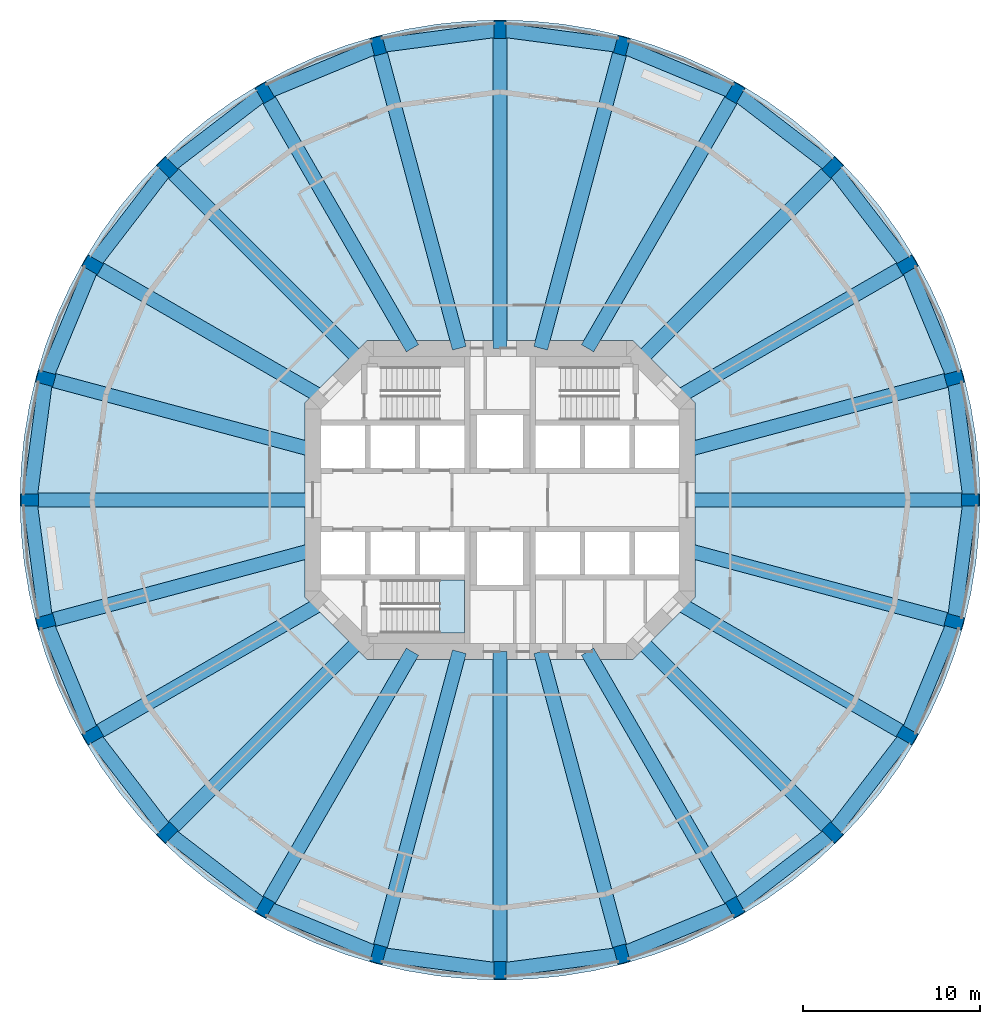
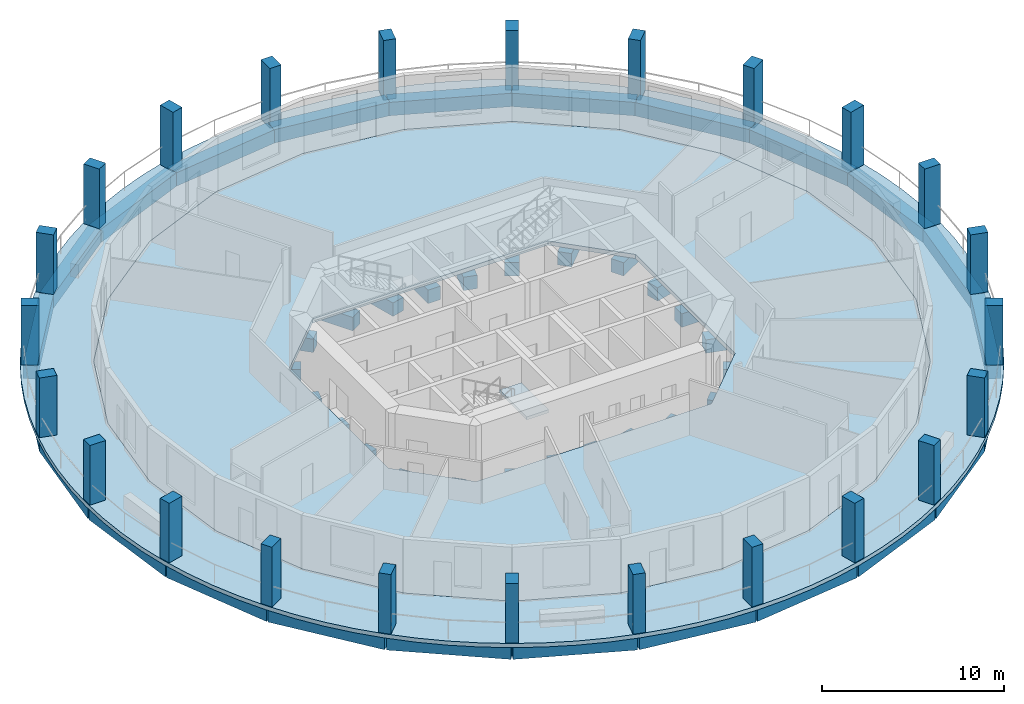
# One storey, part 1 of 9: 48 beams, 24 columns, 3 slabs, 1 element without a shape of its own.
"""IFC4 building model written with IfcOpenShell, lengths in metres."""

from ifc_helpers import new_model, si_unit, direction, frame, origin, origin_2d, place, context, subcontext, project, spatial, polyline, rectangle, outline, extrude, material, layer, layer_set, material_profile, profile_set, type_object, element, aggregate, save


model = new_model("IFC4")

# Units and contexts
model_context = context("Model", 3, precision=1e-05, world=origin(), true_north=direction((0.0, 1.0)))
body_context = subcontext(model_context, "Body", "Model", "MODEL_VIEW")
ifc_project = project(units=[si_unit("LENGTHUNIT", "METRE"), si_unit("AREAUNIT", "SQUARE_METRE"), si_unit("VOLUMEUNIT", "CUBIC_METRE"), si_unit("PLANEANGLEUNIT", "RADIAN"), si_unit("MASSUNIT", "GRAM", prefix="KILO")], contexts=[model_context])

# Site, building, storey
site_placement = place(None, origin())
site = spatial("IfcSite", under=ifc_project, at=site_placement, CompositionType="ELEMENT")
building_placement = place(site_placement, origin())
building = spatial("IfcBuilding", under=site, at=building_placement, Name="Torre Triforio", CompositionType="ELEMENT")
storey_placement = place(building_placement, frame((0.0, 0.0, 63.0)))
storey = spatial("IfcBuildingStorey", under=building, at=storey_placement, Name="L13", CompositionType="ELEMENT", Elevation=63.0)

# Columns
ifc_material_1 = material(Name="Concrete C70", Category="concrete")
ifc_material_profile_1 = material_profile(ifc_material_1, rectangle(XDim=0.699951171875, YDim=1.0, at=origin_2d()), Name="RC 700x1000")
ifc_profile_set_1 = profile_set([ifc_material_profile_1], Name="Concrete C70")
column_type = type_object("IfcColumnType", Name="Pier RC 700x1000 C70", PredefinedType="COLUMN", material=ifc_profile_set_1)
for number, where, z_axis, x_axis, name in (
    (1, (26.5, 0.0, 0.0), (0.0, 0.0, 1.0), (0.0, 1.0, 0.0), "COL.R.L13.00"),
    (2, (25.596923828125, 6.858642578125, 0.0), (0.0, 0.0, 1.0), (-0.258819045103, 0.965925826289, 0.0), "COL.R.L13.01"),
    (3, (22.94970703125, 13.25, 0.0), (0.0, 0.0, 1.0), (-0.5, 0.866025403784, 0.0), "COL.R.L13.02"),
    (4, (18.73828125, 18.73828125, 0.0), (0.0, 0.0, 1.0), (-0.707106781187, 0.707106781187, 0.0), "COL.R.L13.03"),
    (5, (13.25, 22.94970703125, 0.0), (0.0, 0.0, 1.0), (-0.866025403784, 0.5, 0.0), "COL.R.L13.04"),
    (6, (6.858642578125, 25.596923828125, 0.0), (0.0, 0.0, 1.0), (-0.965925826289, 0.258819045103, 0.0), "COL.R.L13.05"),
    (7, (0.0, 26.5, 0.0), (0.0, 0.0, 1.0), (-1.0, 0.0, 0.0), "COL.R.L13.06"),
    (8, (-6.858642578125, 25.596923828125, 0.0), (0.0, 0.0, 1.0), (-0.965925826289, -0.258819045103, 0.0), "COL.R.L13.07"),
    (9, (-13.25, 22.94970703125, 0.0), (0.0, 0.0, 1.0), (-0.866025403784, -0.5, 0.0), "COL.R.L13.08"),
    (10, (-18.73828125, 18.73828125, 0.0), (0.0, 0.0, 1.0), (-0.707106781187, -0.707106781187, 0.0), "COL.R.L13.09"),
    (11, (-22.94970703125, 13.25, 0.0), (0.0, 0.0, 1.0), (-0.5, -0.866025403784, 0.0), "COL.R.L13.10"),
    (12, (-25.596923828125, 6.858642578125, 0.0), (0.0, 0.0, 1.0), (-0.258819045103, -0.965925826289, 0.0), "COL.R.L13.11"),
    (13, (-26.5, 0.0, 0.0), (0.0, 0.0, 1.0), (0.0, -1.0, 0.0), "COL.R.L13.12"),
    (14, (-25.596923828125, -6.858642578125, 0.0), (0.0, 0.0, 1.0), (0.258819045103, -0.965925826289, 0.0), "COL.R.L13.13"),
    (15, (-22.94970703125, -13.25, 0.0), (0.0, 0.0, 1.0), (0.5, -0.866025403784, 0.0), "COL.R.L13.14"),
    (16, (-18.73828125, -18.73828125, 0.0), (0.0, 0.0, 1.0), (0.707106781187, -0.707106781187, 0.0), "COL.R.L13.15"),
    (17, (-13.25, -22.94970703125, 0.0), (0.0, 0.0, 1.0), (0.866025403784, -0.5, 0.0), "COL.R.L13.16"),
    (18, (-6.858642578125, -25.596923828125, 0.0), (0.0, 0.0, 1.0), (0.965925826289, -0.258819045103, 0.0), "COL.R.L13.17"),
    (19, (0.0, -26.5, 0.0), (0.0, 0.0, 1.0), (1.0, 0.0, 0.0), "COL.R.L13.18"),
    (20, (6.858642578125, -25.596923828125, 0.0), (0.0, 0.0, 1.0), (0.965925826289, 0.258819045103, 0.0), "COL.R.L13.19"),
    (21, (13.25, -22.94970703125, 0.0), (0.0, 0.0, 1.0), (0.866025403784, 0.5, 0.0), "COL.R.L13.20"),
    (22, (18.73828125, -18.73828125, 0.0), (0.0, 0.0, 1.0), (0.707106781187, 0.707106781187, 0.0), "COL.R.L13.21"),
    (23, (22.94970703125, -13.25, 0.0), (0.0, 0.0, 1.0), (0.5, 0.866025403784, 0.0), "COL.R.L13.22"),
    (24, (25.596923828125, -6.858642578125, 0.0), (0.0, 0.0, 1.0), (0.258819045103, 0.965925826289, 0.0), "COL.R.L13.23"),
):
    element("IfcColumn", number, at=place(storey_placement, frame(where, z_axis=z_axis, x_axis=x_axis)), inside=storey, type_object=column_type, Name=name, PredefinedType="COLUMN", context=body_context, shape_type="SweptSolid", body=[
        extrude(rectangle(XDim=0.699951171875, YDim=1.0, at=origin_2d()), origin(), (0.0, 0.0, 1.0), 4.0),
    ])

# Beams
ifc_material_2 = material(Name="Concrete C50", Category="concrete")
ifc_material_profile_2 = material_profile(ifc_material_2, rectangle(XDim=0.800048828125, YDim=0.89990234375, at=origin_2d()), Name="RC 800x900")
ifc_profile_set_2 = profile_set([ifc_material_profile_2], Name="Concrete C50")
beam_type_1 = type_object("IfcBeamType", Name="Radial beam RC 800x900 C50", PredefinedType="BEAM", material=ifc_profile_set_2)
beam_1_placement = place(storey_placement, frame((10.550048828125, 0.0, -0.72998046875), z_axis=(1.0, 0.0, 0.0), x_axis=(0.0, 1.0, 0.0)))
element("IfcBeam", 25, at=beam_1_placement, inside=storey, type_object=beam_type_1, Name="BM.R.L13.00", PredefinedType="BEAM", context=body_context, shape_type="SweptSolid", body=[
    extrude(rectangle(XDim=0.800048828125, YDim=0.89990234375, at=origin_2d()), origin(), (0.0, 0.0, 1.0), 15.949951171875),
])
beam_2_placement = place(storey_placement, frame((10.550048828125, 2.826904296875, -0.72998046875), z_axis=(0.965926784764, 0.258815467997, 0.0), x_axis=(-0.258815467997, 0.965926784764, 0.0)))
element("IfcBeam", 26, at=beam_2_placement, inside=storey, type_object=beam_type_1, Name="BM.R.L13.01", PredefinedType="BEAM", context=body_context, shape_type="SweptSolid", body=[
    extrude(rectangle(XDim=0.800048828125, YDim=0.89990234375, at=origin_2d()), origin(), (0.0, 0.0, 1.0), 15.57763671875),
])
beam_3_placement = place(storey_placement, frame((10.039794921875, 5.796630859375, -0.72998046875), z_axis=(0.866030402573, 0.499991341745, 0.0), x_axis=(-0.499991341745, 0.866030402573, 0.0)))
element("IfcBeam", 27, at=beam_3_placement, inside=storey, type_object=beam_type_1, Name="BM.R.L13.02", PredefinedType="BEAM", context=body_context, shape_type="SweptSolid", body=[
    extrude(rectangle(XDim=0.800048828125, YDim=0.89990234375, at=origin_2d()), origin(), (0.0, 0.0, 1.0), 14.906982421875),
])
beam_4_placement = place(storey_placement, frame((7.918212890625, 7.918212890625, -0.72998046875), z_axis=(0.707106781187, 0.707106781187, 0.0), x_axis=(-0.707106781187, 0.707106781187, 0.0)))
element("IfcBeam", 28, at=beam_4_placement, inside=storey, type_object=beam_type_1, Name="BM.R.L13.03", PredefinedType="BEAM", context=body_context, shape_type="SweptSolid", body=[
    extrude(rectangle(XDim=0.800048828125, YDim=0.89990234375, at=origin_2d()), origin(), (0.0, 0.0, 1.0), 15.302001953125),
])
beam_5_placement = place(storey_placement, frame((4.936279296875, 8.550048828125, -0.72998046875), z_axis=(0.500003345241, 0.8660234724, 0.0), x_axis=(-0.8660234724, 0.500003345241, 0.0)))
element("IfcBeam", 29, at=beam_5_placement, inside=storey, type_object=beam_type_1, Name="BM.R.L13.04", PredefinedType="BEAM", context=body_context, shape_type="SweptSolid", body=[
    extrude(rectangle(XDim=0.800048828125, YDim=0.89990234375, at=origin_2d()), origin(), (0.0, 0.0, 1.0), 16.62744140625),
])
beam_6_placement = place(storey_placement, frame((2.291015625, 8.550048828125, -0.72998046875), z_axis=(0.258815374176, 0.965926809903, 0.0), x_axis=(-0.965926809903, 0.258815374176, 0.0)))
element("IfcBeam", 30, at=beam_6_placement, inside=storey, type_object=beam_type_1, Name="BM.R.L13.05", PredefinedType="BEAM", context=body_context, shape_type="SweptSolid", body=[
    extrude(rectangle(XDim=0.800048828125, YDim=0.89990234375, at=origin_2d()), origin(), (0.0, 0.0, 1.0), 17.648193359375),
])
beam_7_placement = place(storey_placement, frame((0.0, 8.550048828125, -0.72998046875), z_axis=(0.0, 1.0, 0.0), x_axis=(-1.0, 0.0, 0.0)))
element("IfcBeam", 31, at=beam_7_placement, inside=storey, type_object=beam_type_1, Name="BM.R.L13.06", PredefinedType="BEAM", context=body_context, shape_type="SweptSolid", body=[
    extrude(rectangle(XDim=0.800048828125, YDim=0.89990234375, at=origin_2d()), origin(), (0.0, 0.0, 1.0), 17.949951171875),
])
beam_8_placement = place(storey_placement, frame((-2.291015625, 8.550048828125, -0.72998046875), z_axis=(-0.258815374176, 0.965926809903, 0.0), x_axis=(-0.965926809903, -0.258815374176, 0.0)))
element("IfcBeam", 32, at=beam_8_placement, inside=storey, type_object=beam_type_1, Name="BM.R.L13.07", PredefinedType="BEAM", context=body_context, shape_type="SweptSolid", body=[
    extrude(rectangle(XDim=0.800048828125, YDim=0.89990234375, at=origin_2d()), origin(), (0.0, 0.0, 1.0), 17.648193359375),
])
beam_9_placement = place(storey_placement, frame((-4.936279296875, 8.550048828125, -0.72998046875), z_axis=(-0.500003345241, 0.8660234724, 0.0), x_axis=(-0.8660234724, -0.500003345241, 0.0)))
element("IfcBeam", 33, at=beam_9_placement, inside=storey, type_object=beam_type_1, Name="BM.R.L13.08", PredefinedType="BEAM", context=body_context, shape_type="SweptSolid", body=[
    extrude(rectangle(XDim=0.800048828125, YDim=0.89990234375, at=origin_2d()), origin(), (0.0, 0.0, 1.0), 16.62744140625),
])
beam_10_placement = place(storey_placement, frame((-7.918212890625, 7.918212890625, -0.72998046875), z_axis=(-0.707106781187, 0.707106781187, 0.0), x_axis=(-0.707106781187, -0.707106781187, 0.0)))
element("IfcBeam", 34, at=beam_10_placement, inside=storey, type_object=beam_type_1, Name="BM.R.L13.09", PredefinedType="BEAM", context=body_context, shape_type="SweptSolid", body=[
    extrude(rectangle(XDim=0.800048828125, YDim=0.89990234375, at=origin_2d()), origin(), (0.0, 0.0, 1.0), 15.302001953125),
])
beam_11_placement = place(storey_placement, frame((-10.039794921875, 5.796630859375, -0.72998046875), z_axis=(-0.866030402573, 0.499991341745, 0.0), x_axis=(-0.499991341745, -0.866030402573, 0.0)))
element("IfcBeam", 35, at=beam_11_placement, inside=storey, type_object=beam_type_1, Name="BM.R.L13.10", PredefinedType="BEAM", context=body_context, shape_type="SweptSolid", body=[
    extrude(rectangle(XDim=0.800048828125, YDim=0.89990234375, at=origin_2d()), origin(), (0.0, 0.0, 1.0), 14.906982421875),
])
beam_12_placement = place(storey_placement, frame((-10.550048828125, 2.826904296875, -0.72998046875), z_axis=(-0.965926784764, 0.258815467997, 0.0), x_axis=(-0.258815467997, -0.965926784764, 0.0)))
element("IfcBeam", 36, at=beam_12_placement, inside=storey, type_object=beam_type_1, Name="BM.R.L13.11", PredefinedType="BEAM", context=body_context, shape_type="SweptSolid", body=[
    extrude(rectangle(XDim=0.800048828125, YDim=0.89990234375, at=origin_2d()), origin(), (0.0, 0.0, 1.0), 15.57763671875),
])
beam_13_placement = place(storey_placement, frame((-10.550048828125, 0.0, -0.72998046875), z_axis=(-1.0, 0.0, 0.0), x_axis=(0.0, -1.0, 0.0)))
element("IfcBeam", 37, at=beam_13_placement, inside=storey, type_object=beam_type_1, Name="BM.R.L13.12", PredefinedType="BEAM", context=body_context, shape_type="SweptSolid", body=[
    extrude(rectangle(XDim=0.800048828125, YDim=0.89990234375, at=origin_2d()), origin(), (0.0, 0.0, 1.0), 15.949951171875),
])
beam_14_placement = place(storey_placement, frame((-10.550048828125, -2.826904296875, -0.72998046875), z_axis=(-0.965926784764, -0.258815467997, 0.0), x_axis=(0.258815467997, -0.965926784764, 0.0)))
element("IfcBeam", 38, at=beam_14_placement, inside=storey, type_object=beam_type_1, Name="BM.R.L13.13", PredefinedType="BEAM", context=body_context, shape_type="SweptSolid", body=[
    extrude(rectangle(XDim=0.800048828125, YDim=0.89990234375, at=origin_2d()), origin(), (0.0, 0.0, 1.0), 15.57763671875),
])
beam_15_placement = place(storey_placement, frame((-10.039794921875, -5.796630859375, -0.72998046875), z_axis=(-0.866030402573, -0.499991341745, 0.0), x_axis=(0.499991341745, -0.866030402573, 0.0)))
element("IfcBeam", 39, at=beam_15_placement, inside=storey, type_object=beam_type_1, Name="BM.R.L13.14", PredefinedType="BEAM", context=body_context, shape_type="SweptSolid", body=[
    extrude(rectangle(XDim=0.800048828125, YDim=0.89990234375, at=origin_2d()), origin(), (0.0, 0.0, 1.0), 14.906982421875),
])
beam_16_placement = place(storey_placement, frame((-7.918212890625, -7.918212890625, -0.72998046875), z_axis=(-0.707106781187, -0.707106781187, 0.0), x_axis=(0.707106781187, -0.707106781187, 0.0)))
element("IfcBeam", 40, at=beam_16_placement, inside=storey, type_object=beam_type_1, Name="BM.R.L13.15", PredefinedType="BEAM", context=body_context, shape_type="SweptSolid", body=[
    extrude(rectangle(XDim=0.800048828125, YDim=0.89990234375, at=origin_2d()), origin(), (0.0, 0.0, 1.0), 15.302001953125),
])
beam_17_placement = place(storey_placement, frame((-4.936279296875, -8.550048828125, -0.72998046875), z_axis=(-0.500003345241, -0.8660234724, 0.0), x_axis=(0.8660234724, -0.500003345241, 0.0)))
element("IfcBeam", 41, at=beam_17_placement, inside=storey, type_object=beam_type_1, Name="BM.R.L13.16", PredefinedType="BEAM", context=body_context, shape_type="SweptSolid", body=[
    extrude(rectangle(XDim=0.800048828125, YDim=0.89990234375, at=origin_2d()), origin(), (0.0, 0.0, 1.0), 16.62744140625),
])
beam_18_placement = place(storey_placement, frame((-2.291015625, -8.550048828125, -0.72998046875), z_axis=(-0.258815374176, -0.965926809903, 0.0), x_axis=(0.965926809903, -0.258815374176, 0.0)))
element("IfcBeam", 42, at=beam_18_placement, inside=storey, type_object=beam_type_1, Name="BM.R.L13.17", PredefinedType="BEAM", context=body_context, shape_type="SweptSolid", body=[
    extrude(rectangle(XDim=0.800048828125, YDim=0.89990234375, at=origin_2d()), origin(), (0.0, 0.0, 1.0), 17.648193359375),
])
beam_19_placement = place(storey_placement, frame((0.0, -8.550048828125, -0.72998046875), z_axis=(0.0, -1.0, 0.0), x_axis=(1.0, 0.0, 0.0)))
element("IfcBeam", 43, at=beam_19_placement, inside=storey, type_object=beam_type_1, Name="BM.R.L13.18", PredefinedType="BEAM", context=body_context, shape_type="SweptSolid", body=[
    extrude(rectangle(XDim=0.800048828125, YDim=0.89990234375, at=origin_2d()), origin(), (0.0, 0.0, 1.0), 17.949951171875),
])
beam_20_placement = place(storey_placement, frame((2.291015625, -8.550048828125, -0.72998046875), z_axis=(0.258815374176, -0.965926809903, 0.0), x_axis=(0.965926809903, 0.258815374176, 0.0)))
element("IfcBeam", 44, at=beam_20_placement, inside=storey, type_object=beam_type_1, Name="BM.R.L13.19", PredefinedType="BEAM", context=body_context, shape_type="SweptSolid", body=[
    extrude(rectangle(XDim=0.800048828125, YDim=0.89990234375, at=origin_2d()), origin(), (0.0, 0.0, 1.0), 17.648193359375),
])
beam_21_placement = place(storey_placement, frame((4.936279296875, -8.550048828125, -0.72998046875), z_axis=(0.500003345241, -0.8660234724, 0.0), x_axis=(0.8660234724, 0.500003345241, 0.0)))
element("IfcBeam", 45, at=beam_21_placement, inside=storey, type_object=beam_type_1, Name="BM.R.L13.20", PredefinedType="BEAM", context=body_context, shape_type="SweptSolid", body=[
    extrude(rectangle(XDim=0.800048828125, YDim=0.89990234375, at=origin_2d()), origin(), (0.0, 0.0, 1.0), 16.62744140625),
])
beam_22_placement = place(storey_placement, frame((7.918212890625, -7.918212890625, -0.72998046875), z_axis=(0.707106781187, -0.707106781187, 0.0), x_axis=(0.707106781187, 0.707106781187, 0.0)))
element("IfcBeam", 46, at=beam_22_placement, inside=storey, type_object=beam_type_1, Name="BM.R.L13.21", PredefinedType="BEAM", context=body_context, shape_type="SweptSolid", body=[
    extrude(rectangle(XDim=0.800048828125, YDim=0.89990234375, at=origin_2d()), origin(), (0.0, 0.0, 1.0), 15.302001953125),
])
beam_23_placement = place(storey_placement, frame((10.039794921875, -5.796630859375, -0.72998046875), z_axis=(0.866030402573, -0.499991341745, 0.0), x_axis=(0.499991341745, 0.866030402573, 0.0)))
element("IfcBeam", 47, at=beam_23_placement, inside=storey, type_object=beam_type_1, Name="BM.R.L13.22", PredefinedType="BEAM", context=body_context, shape_type="SweptSolid", body=[
    extrude(rectangle(XDim=0.800048828125, YDim=0.89990234375, at=origin_2d()), origin(), (0.0, 0.0, 1.0), 14.906982421875),
])
beam_24_placement = place(storey_placement, frame((10.550048828125, -2.826904296875, -0.72998046875), z_axis=(0.965926784764, -0.258815467997, 0.0), x_axis=(0.258815467997, 0.965926784764, 0.0)))
element("IfcBeam", 48, at=beam_24_placement, inside=storey, type_object=beam_type_1, Name="BM.R.L13.23", PredefinedType="BEAM", context=body_context, shape_type="SweptSolid", body=[
    extrude(rectangle(XDim=0.800048828125, YDim=0.89990234375, at=origin_2d()), origin(), (0.0, 0.0, 1.0), 15.57763671875),
])
ifc_material_profile_3 = material_profile(ifc_material_2, rectangle(XDim=0.800048828125, YDim=0.89990234375, at=origin_2d()), Name="RC 800x900")
ifc_profile_set_3 = profile_set([ifc_material_profile_3], Name="Concrete C50")
beam_type_2 = type_object("IfcBeamType", Name="Spandrel beam RC 800x900 C50", PredefinedType="SPANDREL", material=ifc_profile_set_3)
beam_25_placement = place(storey_placement, frame((26.5, 0.0, -0.72998046875), z_axis=(-0.130543064996, 0.991442639885, 0.0), x_axis=(-0.991442639885, -0.130543064996, 0.0)))
element("IfcBeam", 49, at=beam_25_placement, inside=storey, type_object=beam_type_2, Name="BM.S.L13.00", PredefinedType="SPANDREL", context=body_context, shape_type="SweptSolid", body=[
    extrude(rectangle(XDim=0.800048828125, YDim=0.89990234375, at=origin_2d()), origin(), (0.0, 0.0, 1.0), 6.917724609375),
])
for number, where, z_axis, x_axis, name in (
    (50, (25.596923828125, 6.858642578125, -0.72998046875), (-0.382662441128, 0.923888227087, 0.0), (-0.923888227087, -0.382662441128, 0.0), "BM.S.L13.01"),
    (51, (22.94970703125, 13.25, -0.72998046875), (-0.608772297796, 0.793345000259, 0.0), (-0.793345000259, -0.608772297796, 0.0), "BM.S.L13.02"),
    (52, (18.73828125, 18.73828125, -0.72998046875), (-0.793345000259, 0.608772297796, 0.0), (-0.608772297796, -0.793345000259, 0.0), "BM.S.L13.03"),
    (53, (13.25, 22.94970703125, -0.72998046875), (-0.923888227087, 0.382662441128, 0.0), (-0.382662441128, -0.923888227087, 0.0), "BM.S.L13.04"),
):
    element("IfcBeam", number, at=place(storey_placement, frame(where, z_axis=z_axis, x_axis=x_axis)), inside=storey, type_object=beam_type_2, Name=name, PredefinedType="SPANDREL", context=body_context, shape_type="SweptSolid", body=[
        extrude(rectangle(XDim=0.800048828125, YDim=0.89990234375, at=origin_2d()), origin(), (0.0, 0.0, 1.0), 6.91796875),
    ])
for number, where, z_axis, x_axis, name in (
    (54, (6.858642578125, 25.596923828125, -0.72998046875), (-0.991442639885, 0.130543064996, 0.0), (-0.130543064996, -0.991442639885, 0.0), "BM.S.L13.05"),
    (55, (0.0, 26.5, -0.72998046875), (-0.991442639885, -0.130543064996, 0.0), (0.130543064996, -0.991442639885, 0.0), "BM.S.L13.06"),
):
    element("IfcBeam", number, at=place(storey_placement, frame(where, z_axis=z_axis, x_axis=x_axis)), inside=storey, type_object=beam_type_2, Name=name, PredefinedType="SPANDREL", context=body_context, shape_type="SweptSolid", body=[
        extrude(rectangle(XDim=0.800048828125, YDim=0.89990234375, at=origin_2d()), origin(), (0.0, 0.0, 1.0), 6.917724609375),
    ])
for number, where, z_axis, x_axis, name in (
    (56, (-6.858642578125, 25.596923828125, -0.72998046875), (-0.923888227087, -0.382662441128, 0.0), (0.382662441128, -0.923888227087, 0.0), "BM.S.L13.07"),
    (57, (-13.25, 22.94970703125, -0.72998046875), (-0.793345000259, -0.608772297796, 0.0), (0.608772297796, -0.793345000259, 0.0), "BM.S.L13.08"),
    (58, (-18.73828125, 18.73828125, -0.72998046875), (-0.608772297796, -0.793345000259, 0.0), (0.793345000259, -0.608772297796, 0.0), "BM.S.L13.09"),
    (59, (-22.94970703125, 13.25, -0.72998046875), (-0.382662441128, -0.923888227087, 0.0), (0.923888227087, -0.382662441128, 0.0), "BM.S.L13.10"),
):
    element("IfcBeam", number, at=place(storey_placement, frame(where, z_axis=z_axis, x_axis=x_axis)), inside=storey, type_object=beam_type_2, Name=name, PredefinedType="SPANDREL", context=body_context, shape_type="SweptSolid", body=[
        extrude(rectangle(XDim=0.800048828125, YDim=0.89990234375, at=origin_2d()), origin(), (0.0, 0.0, 1.0), 6.91796875),
    ])
for number, where, z_axis, x_axis, name in (
    (60, (-25.596923828125, 6.858642578125, -0.72998046875), (-0.130543064996, -0.991442639885, 0.0), (0.991442639885, -0.130543064996, 0.0), "BM.S.L13.11"),
    (61, (-26.5, 0.0, -0.72998046875), (0.130543064996, -0.991442639885, 0.0), (0.991442639885, 0.130543064996, 0.0), "BM.S.L13.12"),
):
    element("IfcBeam", number, at=place(storey_placement, frame(where, z_axis=z_axis, x_axis=x_axis)), inside=storey, type_object=beam_type_2, Name=name, PredefinedType="SPANDREL", context=body_context, shape_type="SweptSolid", body=[
        extrude(rectangle(XDim=0.800048828125, YDim=0.89990234375, at=origin_2d()), origin(), (0.0, 0.0, 1.0), 6.917724609375),
    ])
for number, where, z_axis, x_axis, name in (
    (62, (-25.596923828125, -6.858642578125, -0.72998046875), (0.382662441128, -0.923888227087, 0.0), (0.923888227087, 0.382662441128, 0.0), "BM.S.L13.13"),
    (63, (-22.94970703125, -13.25, -0.72998046875), (0.608772297796, -0.793345000259, 0.0), (0.793345000259, 0.608772297796, 0.0), "BM.S.L13.14"),
    (64, (-18.73828125, -18.73828125, -0.72998046875), (0.793345000259, -0.608772297796, 0.0), (0.608772297796, 0.793345000259, 0.0), "BM.S.L13.15"),
    (65, (-13.25, -22.94970703125, -0.72998046875), (0.923888227087, -0.382662441128, 0.0), (0.382662441128, 0.923888227087, 0.0), "BM.S.L13.16"),
):
    element("IfcBeam", number, at=place(storey_placement, frame(where, z_axis=z_axis, x_axis=x_axis)), inside=storey, type_object=beam_type_2, Name=name, PredefinedType="SPANDREL", context=body_context, shape_type="SweptSolid", body=[
        extrude(rectangle(XDim=0.800048828125, YDim=0.89990234375, at=origin_2d()), origin(), (0.0, 0.0, 1.0), 6.91796875),
    ])
for number, where, z_axis, x_axis, name in (
    (66, (-6.858642578125, -25.596923828125, -0.72998046875), (0.991442639885, -0.130543064996, 0.0), (0.130543064996, 0.991442639885, 0.0), "BM.S.L13.17"),
    (67, (0.0, -26.5, -0.72998046875), (0.991442639885, 0.130543064996, 0.0), (-0.130543064996, 0.991442639885, 0.0), "BM.S.L13.18"),
):
    element("IfcBeam", number, at=place(storey_placement, frame(where, z_axis=z_axis, x_axis=x_axis)), inside=storey, type_object=beam_type_2, Name=name, PredefinedType="SPANDREL", context=body_context, shape_type="SweptSolid", body=[
        extrude(rectangle(XDim=0.800048828125, YDim=0.89990234375, at=origin_2d()), origin(), (0.0, 0.0, 1.0), 6.917724609375),
    ])
for number, where, z_axis, x_axis, name in (
    (68, (6.858642578125, -25.596923828125, -0.72998046875), (0.923888227087, 0.382662441128, 0.0), (-0.382662441128, 0.923888227087, 0.0), "BM.S.L13.19"),
    (69, (13.25, -22.94970703125, -0.72998046875), (0.793345000259, 0.608772297796, 0.0), (-0.608772297796, 0.793345000259, 0.0), "BM.S.L13.20"),
    (70, (18.73828125, -18.73828125, -0.72998046875), (0.608772297796, 0.793345000259, 0.0), (-0.793345000259, 0.608772297796, 0.0), "BM.S.L13.21"),
    (71, (22.94970703125, -13.25, -0.72998046875), (0.382662441128, 0.923888227087, 0.0), (-0.923888227087, 0.382662441128, 0.0), "BM.S.L13.22"),
):
    element("IfcBeam", number, at=place(storey_placement, frame(where, z_axis=z_axis, x_axis=x_axis)), inside=storey, type_object=beam_type_2, Name=name, PredefinedType="SPANDREL", context=body_context, shape_type="SweptSolid", body=[
        extrude(rectangle(XDim=0.800048828125, YDim=0.89990234375, at=origin_2d()), origin(), (0.0, 0.0, 1.0), 6.91796875),
    ])
beam_26_placement = place(storey_placement, frame((25.596923828125, -6.858642578125, -0.72998046875), z_axis=(0.130543064996, 0.991442639885, 0.0), x_axis=(-0.991442639885, 0.130543064996, 0.0)))
element("IfcBeam", 72, at=beam_26_placement, inside=storey, type_object=beam_type_2, Name="BM.S.L13.23", PredefinedType="SPANDREL", context=body_context, shape_type="SweptSolid", body=[
    extrude(rectangle(XDim=0.800048828125, YDim=0.89990234375, at=origin_2d()), origin(), (0.0, 0.0, 1.0), 6.917724609375),
])

# Slabs
ifc_layer_1 = layer(ifc_material_2, 0.280029296875)
ifc_layer_set_1 = layer_set([ifc_layer_1], Name="Concrete C50")
slab_type_1 = type_object("IfcSlabType", Name="Floor slab 280 C50", PredefinedType="FLOOR", material=ifc_layer_set_1)
slab_1_placement = place(storey_placement, frame((0.0, 0.0, -0.280029296875)))
element("IfcSlab", 73, at=slab_1_placement, inside=storey, type_object=slab_type_1, Name="SL.L13", PredefinedType="FLOOR", context=body_context, shape_type="SweptSolid", body=[
    extrude(outline(polyline([(19.918701171875, -11.5), (22.21630859375, -5.952880859375), (23.0, 0.0), (22.21630859375, 5.952880859375), (19.918701171875, 11.5), (16.263427734375, 16.263427734375), (11.5, 19.918701171875), (5.952880859375, 22.21630859375), (0.0, 23.0), (-5.952880859375, 22.21630859375), (-11.5, 19.918701171875), (-16.263427734375, 16.263427734375), (-19.918701171875, 11.5), (-22.21630859375, 5.952880859375), (-23.0, 0.0), (-22.21630859375, -5.952880859375), (-19.918701171875, -11.5), (-16.263427734375, -16.263427734375), (-11.5, -19.918701171875), (-5.952880859375, -22.21630859375), (0.0, -23.0), (5.952880859375, -22.21630859375), (11.5, -19.918701171875), (16.263427734375, -16.263427734375), (19.918701171875, -11.5)]), holes=[polyline([(11.0, 5.472900390625), (11.0, -5.472900390625), (7.472900390625, -9.0), (-7.472900390625, -9.0), (-11.0, -5.472900390625), (-11.0, 5.472900390625), (-7.472900390625, 9.0), (7.472900390625, 9.0), (11.0, 5.472900390625)])]), origin(), (0.0, 0.0, 1.0), 0.280029296875),
])
ifc_layer_2 = layer(ifc_material_2, 0.280029296875)
ifc_layer_set_2 = layer_set([ifc_layer_2], Name="Concrete C50")
slab_type_2 = type_object("IfcSlabType", Name="Loggia slab 280 C50", PredefinedType="FLOOR", material=ifc_layer_set_2)
slab_2_placement = place(storey_placement, frame((0.0, 0.0, -0.280029296875)))
element("IfcSlab", 74, at=slab_2_placement, inside=storey, type_object=slab_type_2, Name="SL.L13.LG", PredefinedType="FLOOR", context=body_context, shape_type="SweptSolid", body=[
    extrude(outline(polyline([(26.9921875, -1.76904296875), (27.050048828125, 0.0), (26.9921875, 1.76904296875), (26.818603515625, 3.53076171875), (26.5302734375, 5.277099609375), (26.128173828125, 7.0009765625), (25.614501953125, 8.69482421875), (24.990966796875, 10.3515625), (24.260498046875, 11.9638671875), (23.426025390625, 13.52490234375), (22.4912109375, 15.028076171875), (21.460205078125, 16.467041015625), (20.337158203125, 17.835205078125), (19.127197265625, 19.127197265625), (17.835205078125, 20.337158203125), (16.467041015625, 21.460205078125), (15.028076171875, 22.4912109375), (13.52490234375, 23.426025390625), (11.9638671875, 24.260498046875), (10.3515625, 24.990966796875), (8.69482421875, 25.614501953125), (7.0009765625, 26.128173828125), (5.277099609375, 26.5302734375), (3.53076171875, 26.818603515625), (1.76904296875, 26.9921875), (0.0, 27.050048828125), (-1.76904296875, 26.9921875), (-3.53076171875, 26.818603515625), (-5.277099609375, 26.5302734375), (-7.0009765625, 26.128173828125), (-8.69482421875, 25.614501953125), (-10.3515625, 24.990966796875), (-11.9638671875, 24.260498046875), (-13.52490234375, 23.426025390625), (-15.028076171875, 22.4912109375), (-16.467041015625, 21.460205078125), (-17.835205078125, 20.337158203125), (-19.127197265625, 19.127197265625), (-20.337158203125, 17.835205078125), (-21.460205078125, 16.467041015625), (-22.4912109375, 15.028076171875), (-23.426025390625, 13.52490234375), (-24.260498046875, 11.9638671875), (-24.990966796875, 10.3515625), (-25.614501953125, 8.69482421875), (-26.128173828125, 7.0009765625), (-26.5302734375, 5.277099609375), (-26.818603515625, 3.53076171875), (-26.9921875, 1.76904296875), (-27.050048828125, 0.0), (-26.9921875, -1.76904296875), (-26.818603515625, -3.53076171875), (-26.5302734375, -5.277099609375), (-26.128173828125, -7.0009765625), (-25.614501953125, -8.69482421875), (-24.990966796875, -10.3515625), (-24.260498046875, -11.9638671875), (-23.426025390625, -13.52490234375), (-22.4912109375, -15.028076171875), (-21.460205078125, -16.467041015625), (-20.337158203125, -17.835205078125), (-19.127197265625, -19.127197265625), (-17.835205078125, -20.337158203125), (-16.467041015625, -21.460205078125), (-15.028076171875, -22.4912109375), (-13.52490234375, -23.426025390625), (-11.9638671875, -24.260498046875), (-10.3515625, -24.990966796875), (-8.69482421875, -25.614501953125), (-7.0009765625, -26.128173828125), (-5.277099609375, -26.5302734375), (-3.53076171875, -26.818603515625), (-1.76904296875, -26.9921875), (0.0, -27.050048828125), (1.76904296875, -26.9921875), (3.53076171875, -26.818603515625), (5.277099609375, -26.5302734375), (7.0009765625, -26.128173828125), (8.69482421875, -25.614501953125), (10.3515625, -24.990966796875), (11.9638671875, -24.260498046875), (13.52490234375, -23.426025390625), (15.028076171875, -22.4912109375), (16.467041015625, -21.460205078125), (17.835205078125, -20.337158203125), (19.127197265625, -19.127197265625), (20.337158203125, -17.835205078125), (21.460205078125, -16.467041015625), (22.4912109375, -15.028076171875), (23.426025390625, -13.52490234375), (24.260498046875, -11.9638671875), (24.990966796875, -10.3515625), (25.614501953125, -8.69482421875), (26.128173828125, -7.0009765625), (26.5302734375, -5.277099609375), (26.818603515625, -3.53076171875), (26.9921875, -1.76904296875)]), holes=[polyline([(22.21630859375, 5.952880859375), (23.0, 0.0), (22.21630859375, -5.952880859375), (19.918701171875, -11.5), (16.263427734375, -16.263427734375), (11.5, -19.918701171875), (5.952880859375, -22.21630859375), (0.0, -23.0), (-5.952880859375, -22.21630859375), (-11.5, -19.918701171875), (-16.263427734375, -16.263427734375), (-19.918701171875, -11.5), (-22.21630859375, -5.952880859375), (-23.0, 0.0), (-22.21630859375, 5.952880859375), (-19.918701171875, 11.5), (-16.263427734375, 16.263427734375), (-11.5, 19.918701171875), (-5.952880859375, 22.21630859375), (0.0, 23.0), (5.952880859375, 22.21630859375), (11.5, 19.918701171875), (16.263427734375, 16.263427734375), (19.918701171875, 11.5), (22.21630859375, 5.952880859375)])]), origin(), (0.0, 0.0, 1.0), 0.280029296875),
])

# Stair, slab
ifc_material_3 = material(Name="Concrete C40", Category="concrete")
stair_type = type_object("IfcStairType", Name="STAIR HALF-TURN", PredefinedType="HALF_TURN_STAIR", material=ifc_material_3)
stair_placement = place(storey_placement, origin())
stair = element("IfcStair", 75, at=stair_placement, inside=storey, type_object=stair_type, Name="Exit stair 3", PredefinedType="HALF_TURN_STAIR")
ifc_layer_3 = layer(ifc_material_3, 0.199951171875)
ifc_layer_set_3 = layer_set([ifc_layer_3], Name="Concrete C40")
slab_type_3 = type_object("IfcSlabType", Name="STAIR LANDING 200", PredefinedType="LANDING", material=ifc_layer_set_3)
slab_3_placement = place(storey_placement, frame((0.0, 0.0, 1.800048828125)))
slab_3 = element("IfcSlab", 76, at=slab_3_placement, type_object=slab_type_3, Name="ST3 landing 1", PredefinedType="LANDING", context=body_context, shape_type="SweptSolid", body=[
    extrude(outline(polyline([(-2.0, -7.5), (-2.0, -4.5), (-3.39990234375, -4.5), (-3.39990234375, -7.5), (-2.0, -7.5)])), origin(), (0.0, 0.0, 1.0), 0.199951171875),
])
aggregate(stair, [slab_3])

save(model, "model.ifc")
